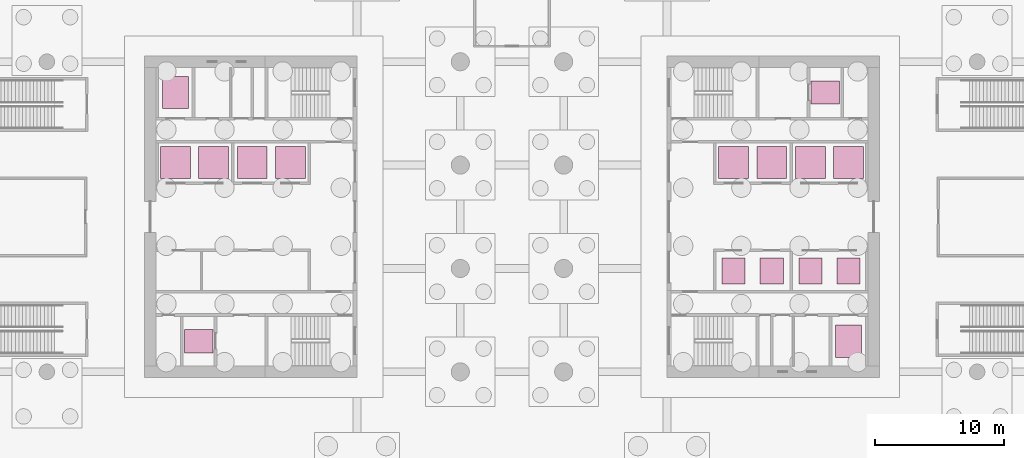
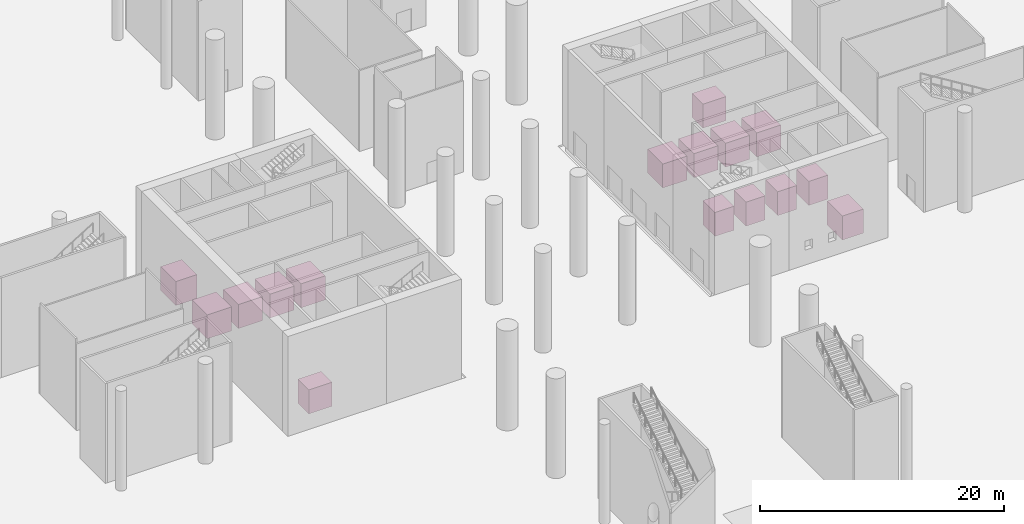
# One storey, part 13 of 14: 16 transport elements.
"""IFC4 building model written with IfcOpenShell, lengths in metres."""

import ifcopenshell
import ifcopenshell.guid

model = None  # the IFC model being written
_history = None  # IfcOwnerHistory: only IFC2X3 demands one
_inside = {}  # id of a spatial element -> (the spatial element, [elements in it])
_under = {}  # id of a project, library or spatial element -> (it, [spatial elements below it])
_declared = {}  # id of a project -> (the project, [libraries it declares])
_typed = {}  # id of a type object -> (the type object, [elements of that type])
_made_of = {}  # id of a material, layer set ... -> (it, [elements and type objects made of it])


def new_model(schema):
    """Start an empty IFC model of exactly this schema.

    Asked for "IFC4X3", IfcOpenShell would pick the latest addendum, in which some entities
    have other attributes; the version numbers below select the first issue.
    IFC2X3 requires an IfcOwnerHistory on every rooted entity: one is made here for all.
    """
    global model, _history
    if schema == "IFC4X3":
        model = ifcopenshell.file(schema_version=(4, 3, 0, 0))
    else:
        model = ifcopenshell.file(schema=schema)
    _inside.clear()
    _under.clear()
    _declared.clear()
    _typed.clear()
    _made_of.clear()
    _history = None
    if model.schema == "IFC2X3":
        org = make("IfcOrganization", Name="unknown")
        user = make(
            "IfcPersonAndOrganization",
            ThePerson=make("IfcPerson", FamilyName="unknown"),
            TheOrganization=org,
        )
        app = make(
            "IfcApplication",
            ApplicationDeveloper=org,
            Version="unknown",
            ApplicationFullName="unknown",
            ApplicationIdentifier="unknown",
        )
        _history = make(
            "IfcOwnerHistory",
            OwningUser=user,
            OwningApplication=app,
            ChangeAction="ADDED",
            CreationDate=0,
        )
    return model


def make(cls, **values):
    """One entity of the class cls with the attributes given. An attribute that is None is left unset."""
    return model.create_entity(
        cls, **{name: value for name, value in values.items() if value is not None}
    )


def rooted(cls, **values):
    """An entity with a GlobalId (a new one), such as an element, a storey or a relation."""
    return make(cls, GlobalId=ifcopenshell.guid.new(), OwnerHistory=_history, **values)


def si_unit(unit_type, name, prefix=None):
    """IfcSIUnit, for example si_unit("LENGTHUNIT", "METRE", prefix="MILLI")."""
    return make("IfcSIUnit", UnitType=unit_type, Prefix=prefix, Name=name)


def assignment(units):
    """IfcUnitAssignment: the units of a project."""
    return None if units is None else make("IfcUnitAssignment", Units=units)


def point(xyz):
    """IfcCartesianPoint."""
    return None if xyz is None else make("IfcCartesianPoint", Coordinates=xyz)


def direction(xyz):
    """IfcDirection."""
    return None if xyz is None else make("IfcDirection", DirectionRatios=xyz)


def frame(location, z_axis=None, x_axis=None):
    """IfcAxis2Placement3D, a coordinate frame: its origin and axes. An axis left out is left unset."""
    return make(
        "IfcAxis2Placement3D",
        Location=point(location),
        Axis=direction(z_axis),
        RefDirection=direction(x_axis),
    )


def frame_2d(location, x_axis=None):
    """IfcAxis2Placement2D, a coordinate frame in the plane: its origin and x axis."""
    return make(
        "IfcAxis2Placement2D", Location=point(location), RefDirection=direction(x_axis)
    )


def origin():
    """The frame at (0, 0, 0) with its axes left unset."""
    return frame((0.0, 0.0, 0.0))


def origin_2d():
    """The frame at (0, 0) in the plane with its x axis left unset."""
    return frame_2d((0.0, 0.0))


def place(relative_to, where):
    """IfcLocalPlacement: puts the frame where relative to a parent placement (None: the world)."""
    return make(
        "IfcLocalPlacement", PlacementRelTo=relative_to, RelativePlacement=where
    )


def context(
    kind, dimensions, precision=None, world=None, true_north=None, identifier=None
):
    """IfcGeometricRepresentationContext, for example the 3D "Model" context."""
    return make(
        "IfcGeometricRepresentationContext",
        ContextIdentifier=identifier,
        ContextType=kind,
        CoordinateSpaceDimension=dimensions,
        Precision=precision,
        WorldCoordinateSystem=world,
        TrueNorth=true_north,
    )


def subcontext(parent, identifier, kind, view, scale=None):
    """IfcGeometricRepresentationSubContext, for example "Body" below "Model"."""
    return make(
        "IfcGeometricRepresentationSubContext",
        ContextIdentifier=identifier,
        ContextType=kind,
        ParentContext=parent,
        TargetScale=scale,
        TargetView=view,
    )


def project(units=None, contexts=None):
    """IfcProject with its units and contexts."""
    return rooted(
        "IfcProject",
        Name="project",
        RepresentationContexts=contexts,
        UnitsInContext=assignment(units),
    )


def spatial(cls, under=None, at=None, **own):
    """A site, building, storey or space (cls), placed at a placement, below another one or the project."""
    s = rooted(cls, ObjectPlacement=at, **own)
    if under is not None:
        _under.setdefault(under.id(), (under, []))[1].append(s)
    return s


def profile(cls, at=None, kind="AREA", **sizes):
    """A parametric profile (cls). Its sizes go by their IFC names, for example OverallWidth=200.0."""
    return make(cls, ProfileType=kind, Position=at, **sizes)


def rectangle(**sizes):
    """IfcRectangleProfileDef."""
    return profile("IfcRectangleProfileDef", **sizes)


def extrude(swept, where, along, depth):
    """IfcExtrudedAreaSolid: the profile swept, set in the frame where, extruded along a direction by depth."""
    return make(
        "IfcExtrudedAreaSolid",
        SweptArea=swept,
        Position=where,
        ExtrudedDirection=direction(along),
        Depth=depth,
    )


def shape(context_of_items, identifier, shape_type, items):
    """IfcShapeRepresentation: the items that make up one representation, for example the "Body"."""
    return make(
        "IfcShapeRepresentation",
        ContextOfItems=context_of_items,
        RepresentationIdentifier=identifier,
        RepresentationType=shape_type,
        Items=items,
    )


def material(Name=None, Category=None):
    """IfcMaterial."""
    return make("IfcMaterial", Name=Name, Category=Category)


def made_of(thing, what):
    """Note that an element or type object is made of a material, layer set ...; save() writes the relation."""
    if what is not None:
        _made_of.setdefault(what.id(), (what, []))[1].append(thing)
    return thing


def type_object(cls, material=None, **own):
    """A type object (cls), such as IfcWallType, which elements share."""
    return made_of(rooted(cls, **own), material)


def element(
    cls,
    number,
    at=None,
    inside=None,
    cuts=None,
    type_object=None,
    material=None,
    context=None,
    identifier="Body",
    shape_type=None,
    held_by="IfcProductDefinitionShape",
    body=None,
    shapes=None,
    **own,
):
    """One element of the class cls, such as IfcWall. Its Tag is "e" and its number.

    at: its placement. inside: the storey or other place that contains it. cuts: it is an
    opening in that element (IfcRelVoidsElement). A single representation is given by context,
    identifier, shape_type and body (its items); several are given by shapes. held_by: the class
    of the entity that holds the representations. save() writes the other relations.
    """
    e = rooted(cls, Tag="e%d" % number, ObjectPlacement=at, **own)
    if body is not None:
        shapes = [shape(context, identifier, shape_type, body)]
    if shapes is not None:
        e.Representation = make(held_by, Representations=shapes)
    if inside is not None:
        _inside.setdefault(inside.id(), (inside, []))[1].append(e)
    if cuts is not None:
        rooted(
            "IfcRelVoidsElement", RelatingBuildingElement=cuts, RelatedOpeningElement=e
        )
    if type_object is not None:
        _typed.setdefault(type_object.id(), (type_object, []))[1].append(e)
    return made_of(e, material)


def aggregate(whole, parts):
    """IfcRelAggregates: a whole, such as a stair, and the parts it consists of."""
    return rooted("IfcRelAggregates", RelatingObject=whole, RelatedObjects=parts)


def save(model, path):
    """Write the relations noted so far, then the file.

    IfcRelAggregates (storeys below a building ...), IfcRelContainedInSpatialStructure (elements
    in a storey), IfcRelDefinesByType, IfcRelAssociatesMaterial and IfcRelDeclares: one each for
    every whole, place, type object, material and project.
    """
    for whole, parts in _under.values():
        aggregate(whole, parts)
    for where, things in _inside.values():
        rooted(
            "IfcRelContainedInSpatialStructure",
            RelatedElements=things,
            RelatingStructure=where,
        )
    for kind, things in _typed.values():
        rooted("IfcRelDefinesByType", RelatedObjects=things, RelatingType=kind)
    for what, things in _made_of.values():
        rooted("IfcRelAssociatesMaterial", RelatedObjects=things, RelatingMaterial=what)
    for by, libraries in _declared.values():
        rooted("IfcRelDeclares", RelatingContext=by, RelatedDefinitions=libraries)
    model.write(path)


model = new_model("IFC4")

# Units and contexts
model_context = context("Model", 3, precision=1e-05, world=origin(), true_north=direction((0.0, 1.0)))
body_context = subcontext(model_context, "Body", "Model", "MODEL_VIEW")
ifc_project = project(units=[si_unit("LENGTHUNIT", "METRE"), si_unit("AREAUNIT", "SQUARE_METRE"), si_unit("VOLUMEUNIT", "CUBIC_METRE"), si_unit("PLANEANGLEUNIT", "RADIAN"), si_unit("MASSUNIT", "GRAM", prefix="KILO")], contexts=[model_context])

# Site, building, storey
site_placement = place(None, origin())
site = spatial("IfcSite", under=ifc_project, at=site_placement, CompositionType="ELEMENT")
building_placement = place(site_placement, origin())
building = spatial("IfcBuilding", under=site, at=building_placement, Name="Crosswind Convention Tower", CompositionType="ELEMENT")
storey_placement = place(building_placement, origin())
storey = spatial("IfcBuildingStorey", under=building, at=storey_placement, Name="L00", CompositionType="ELEMENT", Elevation=0.0)

# Transport elements
ifc_material = material(Name="Stainless steel lift car", Category="steel")
transport_element_type_1 = type_object("IfcTransportElementType", Name="Fire-fighting lift car 1800x2200", PredefinedType="ELEVATOR", material=ifc_material)
for number, where, z_axis, x_axis, name in (
    (1, (149.25, 109.625, 0.0), (0.0, 0.0, 1.0), (1.0, 0.0, 0.0), "Fire-fighting lift FF1"),
    (2, (100.75, 90.375, 0.0), (0.0, 0.0, 1.0), (1.0, 0.0, 0.0), "Fire-fighting lift FF2"),
):
    element("IfcTransportElement", number, at=place(storey_placement, frame(where, z_axis=z_axis, x_axis=x_axis)), inside=storey, type_object=transport_element_type_1, Name=name, ObjectType="LFF", PredefinedType="ELEVATOR", context=body_context, shape_type="SweptSolid", body=[
        extrude(rectangle(XDim=2.199951171875, YDim=1.800048828125, at=origin_2d()), origin(), (0.0, 0.0, 1.0), 2.39990234375),
    ])
transport_element_type_2 = type_object("IfcTransportElementType", Name="Passenger lift car A 2300x2500", PredefinedType="ELEVATOR", material=ifc_material)
for number, where, z_axis, x_axis, name in (
    (3, (142.14990234375, 104.199951171875, 0.0), (0.0, 0.0, 1.0), (1.0, 0.0, 0.0), "Passenger lift A1"),
    (4, (145.10009765625, 104.199951171875, 0.0), (0.0, 0.0, 1.0), (1.0, 0.0, 0.0), "Passenger lift A2"),
    (5, (148.10009765625, 104.199951171875, 0.0), (0.0, 0.0, 1.0), (1.0, 0.0, 0.0), "Passenger lift A3"),
    (6, (151.050048828125, 104.199951171875, 0.0), (0.0, 0.0, 1.0), (1.0, 0.0, 0.0), "Passenger lift A4"),
    (7, (107.85009765625, 104.199951171875, 0.0), (0.0, 0.0, 1.0), (1.0, 0.0, 0.0), "Passenger lift A5"),
    (8, (104.89990234375, 104.199951171875, 0.0), (0.0, 0.0, 1.0), (1.0, 0.0, 0.0), "Passenger lift A6"),
    (9, (101.89990234375, 104.199951171875, 0.0), (0.0, 0.0, 1.0), (1.0, 0.0, 0.0), "Passenger lift A7"),
    (10, (98.949951171875, 104.199951171875, 0.0), (0.0, 0.0, 1.0), (1.0, 0.0, 0.0), "Passenger lift A8"),
):
    element("IfcTransportElement", number, at=place(storey_placement, frame(where, z_axis=z_axis, x_axis=x_axis)), inside=storey, type_object=transport_element_type_2, Name=name, ObjectType="LA", PredefinedType="ELEVATOR", context=body_context, shape_type="SweptSolid", body=[
        extrude(rectangle(XDim=2.300048828125, YDim=2.5, at=origin_2d()), origin(), (0.0, 0.0, 1.0), 2.39990234375),
    ])
transport_element_type_3 = type_object("IfcTransportElementType", Name="Passenger lift car H 1800x2000", PredefinedType="ELEVATOR", material=ifc_material)
for number, where, z_axis, x_axis, name in (
    (11, (142.14990234375, 95.800048828125, 0.0), (0.0, 0.0, 1.0), (1.0, 0.0, 0.0), "Passenger lift H1"),
    (12, (145.10009765625, 95.800048828125, 0.0), (0.0, 0.0, 1.0), (1.0, 0.0, 0.0), "Passenger lift H2"),
    (13, (148.10009765625, 95.800048828125, 0.0), (0.0, 0.0, 1.0), (1.0, 0.0, 0.0), "Passenger lift H3"),
    (14, (151.050048828125, 95.800048828125, 0.0), (0.0, 0.0, 1.0), (1.0, 0.0, 0.0), "Passenger lift H4"),
):
    element("IfcTransportElement", number, at=place(storey_placement, frame(where, z_axis=z_axis, x_axis=x_axis)), inside=storey, type_object=transport_element_type_3, Name=name, ObjectType="LH", PredefinedType="ELEVATOR", context=body_context, shape_type="SweptSolid", body=[
        extrude(rectangle(XDim=1.800048828125, YDim=2.0, at=origin_2d()), origin(), (0.0, 0.0, 1.0), 2.39990234375),
    ])
transport_element_type_4 = type_object("IfcTransportElementType", Name="Service lift car 2000x2500", PredefinedType="ELEVATOR", material=ifc_material)
for number, where, z_axis, x_axis, name in (
    (15, (151.050048828125, 90.375, 0.0), (0.0, 0.0, 1.0), (1.0, 0.0, 0.0), "Service lift SV1"),
    (16, (98.949951171875, 109.625, 0.0), (0.0, 0.0, 1.0), (1.0, 0.0, 0.0), "Service lift SV2"),
):
    element("IfcTransportElement", number, at=place(storey_placement, frame(where, z_axis=z_axis, x_axis=x_axis)), inside=storey, type_object=transport_element_type_4, Name=name, ObjectType="LSV", PredefinedType="ELEVATOR", context=body_context, shape_type="SweptSolid", body=[
        extrude(rectangle(XDim=2.0, YDim=2.5, at=origin_2d()), origin(), (0.0, 0.0, 1.0), 2.39990234375),
    ])

save(model, "model.ifc")
